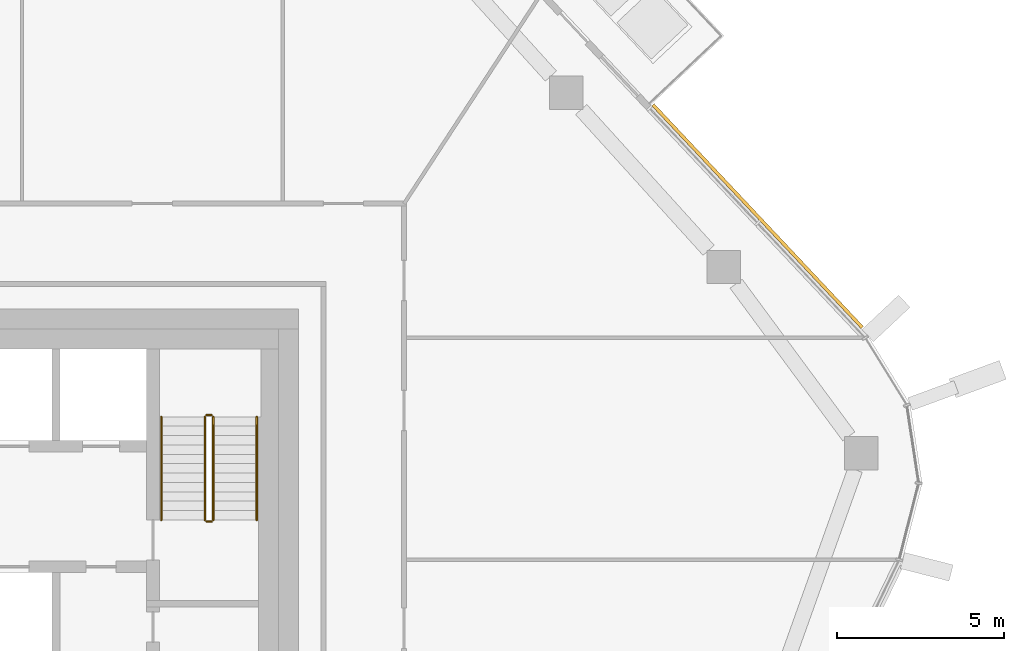
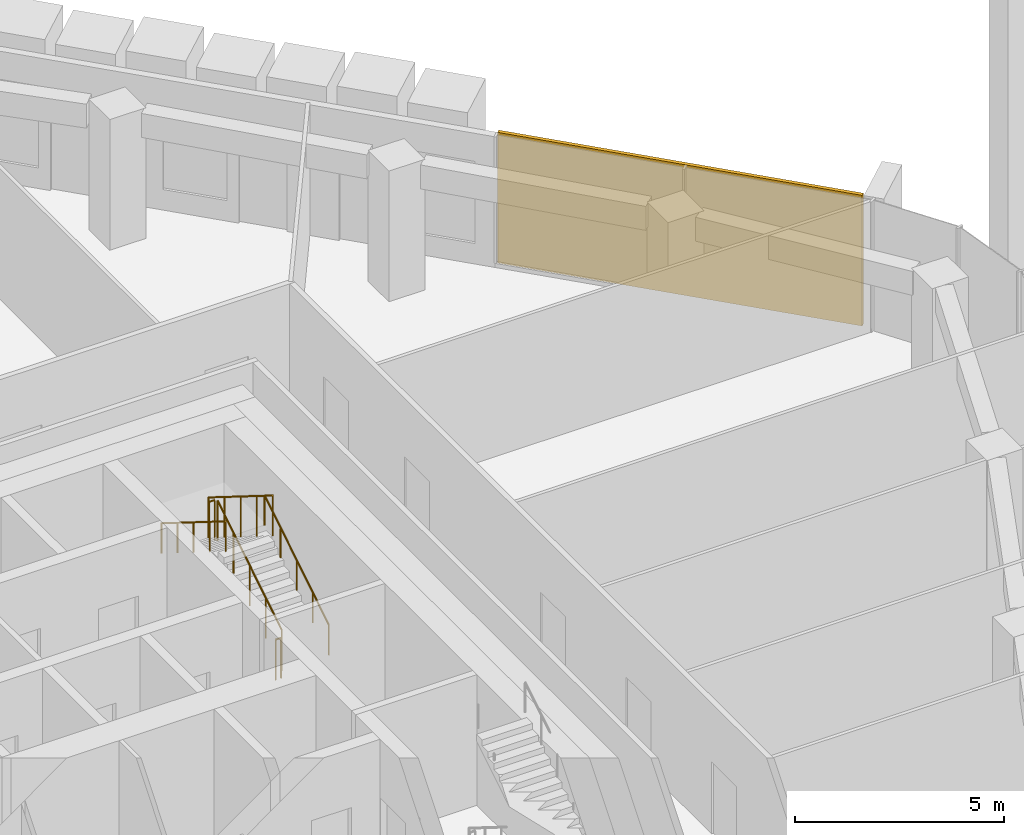
# One storey, part 23 of 24: 6 railings, 1 covering, 1 element without a shape of its own.
"""IFC4 building model written with IfcOpenShell, lengths in metres."""

from ifc_helpers import new_model, si_unit, direction, frame, origin, origin_2d, place, context, subcontext, project, spatial, rectangle, circle, extrude, material, layer, layer_set, type_object, element, aggregate, save


model = new_model("IFC4")

# Units and contexts
model_context = context("Model", 3, precision=1e-05, world=origin(), true_north=direction((0.0, 1.0)))
body_context = subcontext(model_context, "Body", "Model", "MODEL_VIEW")
ifc_project = project(units=[si_unit("LENGTHUNIT", "METRE"), si_unit("AREAUNIT", "SQUARE_METRE"), si_unit("VOLUMEUNIT", "CUBIC_METRE"), si_unit("PLANEANGLEUNIT", "RADIAN"), si_unit("MASSUNIT", "GRAM", prefix="KILO")], contexts=[model_context])

# Site, building, storey
site_placement = place(None, origin())
site = spatial("IfcSite", under=ifc_project, at=site_placement, CompositionType="ELEMENT")
building_placement = place(site_placement, origin())
building = spatial("IfcBuilding", under=site, at=building_placement, Name="Dongbaek Canopy Tower", CompositionType="ELEMENT")
storey_placement = place(building_placement, frame((0.0, 0.0, 294.199951171875)))
storey = spatial("IfcBuildingStorey", under=building, at=storey_placement, Name="L62", CompositionType="ELEMENT", Elevation=294.199951171875)

# Curtain wall, covering
ifc_material_1 = material(Name="Aluminium 6063-T6 pale anodised", Category="aluminium")
ifc_layer_1 = layer(ifc_material_1, 0.199951171875)
ifc_layer_set_1 = layer_set([ifc_layer_1], Name="CW-1 unitised tower curtain wall")
curtain_wall_type = type_object("IfcCurtainWallType", Name="CW-1 unitised tower curtain wall", PredefinedType="NOTDEFINED", material=ifc_layer_set_1)
curtain_wall_placement = place(storey_placement, origin())
curtain_wall = element("IfcCurtainWall", 1, at=curtain_wall_placement, inside=storey, type_object=curtain_wall_type, Name="CW-1 curtain wall F0.1", PredefinedType="NOTDEFINED")
ifc_material_2 = material(Name="Perforated aluminium 6063-T6 pale metal screen", Category="aluminium")
ifc_layer_2 = layer(ifc_material_2, 0.10009765625)
ifc_layer_set_2 = layer_set([ifc_layer_2], Name="Facet screen FS1 100 pale metal")
covering_type = type_object("IfcCoveringType", Name="Facet screen FS1 100 pale metal", PredefinedType="CLADDING", material=ifc_layer_set_2)
covering_placement = place(storey_placement, frame((27.71337890625, 13.775634765625, 0.0), z_axis=(0.0, 0.0, 1.0), x_axis=(-0.684830774803, 0.728702140715, 0.0)))
covering = element("IfcCovering", 2, at=covering_placement, type_object=covering_type, Name="Facet screen L62 F0", PredefinedType="CLADDING", context=body_context, shape_type="SweptSolid", body=[
    extrude(rectangle(XDim=9.125, YDim=0.10009765625, at=origin_2d()), origin(), (0.0, 0.0, 1.0), 3.820068359375),
])
aggregate(curtain_wall, [covering])

# Railings
ifc_material_3 = material(Name="Stainless steel tube and balusters", Category="steel")
railing_type_1 = type_object("IfcRailingType", Name="Stair guard 1200", PredefinedType="GUARDRAIL", material=ifc_material_3)
railing_1_placement = place(storey_placement, frame((11.449951171875, 4.699951171875, 0.175048828125)))
element("IfcRailing", 3, at=railing_1_placement, inside=storey, type_object=railing_type_1, Name="L62 ST-A stair guard 1", PredefinedType="GUARDRAIL", context=body_context, shape_type="SweptSolid", body=[
    extrude(circle(Radius=0.02392578125, at=origin_2d()), frame((0.0, 0.0, 1.17578125), z_axis=(0.0, 0.847998304005, 0.529998940003), x_axis=(-1.0, 0.0, 0.0)), (0.0, 0.0, 1.0), 3.632080078125),
    extrude(circle(Radius=0.02099609375, at=origin_2d()), origin(), (0.0, 0.0, 1.0), 1.15185546875),
    extrude(circle(Radius=0.02099609375, at=origin_2d()), frame((0.0, 0.77001953125, 0.481201171875)), (0.0, 0.0, 1.0), 1.15185546875),
    extrude(circle(Radius=0.02099609375, at=origin_2d()), frame((0.0, 1.5400390625, 0.96240234375)), (0.0, 0.0, 1.0), 1.15185546875),
    extrude(circle(Radius=0.02099609375, at=origin_2d()), frame((0.0, 2.31005859375, 1.44384765625)), (0.0, 0.0, 1.0), 1.15185546875),
    extrude(circle(Radius=0.02099609375, at=origin_2d()), frame((0.0, 3.080078125, 1.925048828125)), (0.0, 0.0, 1.0), 1.15185546875),
])
railing_2_placement = place(storey_placement, frame((11.39990234375, 7.830078125, 2.10009765625)))
element("IfcRailing", 4, at=railing_2_placement, inside=storey, type_object=railing_type_1, Name="L62 ST-A stair guard 2", PredefinedType="GUARDRAIL", context=body_context, shape_type="SweptSolid", body=[
    extrude(circle(Radius=0.02392578125, at=origin_2d()), frame((0.0, 0.0, 1.17578125), z_axis=(-1.0, 0.0, 0.0), x_axis=(0.0, -1.0, 0.0)), (0.0, 0.0, 1.0), 0.14990234375),
    extrude(circle(Radius=0.02099609375, at=origin_2d()), origin(), (0.0, 0.0, 1.0), 1.15185546875),
    extrude(circle(Radius=0.02099609375, at=origin_2d()), frame((-0.14990234375, 0.0, 0.0)), (0.0, 0.0, 1.0), 1.15185546875),
])
railing_3_placement = place(storey_placement, frame((11.199951171875, 7.780029296875, 2.275146484375)))
element("IfcRailing", 5, at=railing_3_placement, inside=storey, type_object=railing_type_1, Name="L62 ST-A stair guard 3", PredefinedType="GUARDRAIL", context=body_context, shape_type="SweptSolid", body=[
    extrude(circle(Radius=0.02392578125, at=origin_2d()), frame((0.0, 0.0, 1.17578125), z_axis=(0.0, -0.848028513186, 0.529950602248), x_axis=(1.0, 0.0, 0.0)), (0.0, 0.0, 1.0), 3.632080078125),
    extrude(circle(Radius=0.02099609375, at=origin_2d()), origin(), (0.0, 0.0, 1.0), 1.15185546875),
    extrude(circle(Radius=0.02099609375, at=origin_2d()), frame((0.0, -0.77001953125, 0.481201171875)), (0.0, 0.0, 1.0), 1.15185546875),
    extrude(circle(Radius=0.02099609375, at=origin_2d()), frame((0.0, -1.5400390625, 0.96240234375)), (0.0, 0.0, 1.0), 1.15185546875),
    extrude(circle(Radius=0.02099609375, at=origin_2d()), frame((0.0, -2.31005859375, 1.443603515625)), (0.0, 0.0, 1.0), 1.15185546875),
    extrude(circle(Radius=0.02099609375, at=origin_2d()), frame((0.0, -3.080078125, 1.9248046875)), (0.0, 0.0, 1.0), 1.15185546875),
])
railing_4_placement = place(storey_placement, frame((11.39990234375, 4.64990234375, 0.0)))
element("IfcRailing", 6, at=railing_4_placement, inside=storey, type_object=railing_type_1, Name="L62 ST-A stair guard 4", PredefinedType="GUARDRAIL", context=body_context, shape_type="SweptSolid", body=[
    extrude(circle(Radius=0.02392578125, at=origin_2d()), frame((0.0, 0.0, 1.17578125), z_axis=(-1.0, 0.0, 0.0), x_axis=(0.0, -1.0, 0.0)), (0.0, 0.0, 1.0), 0.14990234375),
    extrude(circle(Radius=0.02099609375, at=origin_2d()), origin(), (0.0, 0.0, 1.0), 1.15185546875),
    extrude(circle(Radius=0.02099609375, at=origin_2d()), frame((-0.14990234375, 0.0, 0.0)), (0.0, 0.0, 1.0), 1.15185546875),
])
ifc_material_4 = material(Name="Stainless steel tube", Category="steel")
railing_type_2 = type_object("IfcRailingType", Name="Stair handrail 900", PredefinedType="HANDRAIL", material=ifc_material_4)
railing_5_placement = place(storey_placement, frame((12.75, 4.699951171875, 0.175048828125)))
element("IfcRailing", 7, at=railing_5_placement, inside=storey, type_object=railing_type_2, Name="L62 ST-A stair handrail 1", PredefinedType="HANDRAIL", context=body_context, shape_type="SweptSolid", body=[
    extrude(circle(Radius=0.02392578125, at=origin_2d()), frame((0.0, 0.0, 0.8759765625), z_axis=(0.0, 0.847998304005, 0.529998940003), x_axis=(-1.0, 0.0, 0.0)), (0.0, 0.0, 1.0), 3.632080078125),
    extrude(circle(Radius=0.02099609375, at=origin_2d()), origin(), (0.0, 0.0, 1.0), 0.851806640625),
    extrude(circle(Radius=0.02099609375, at=origin_2d()), frame((0.0, 0.77001953125, 0.481201171875)), (0.0, 0.0, 1.0), 0.851806640625),
    extrude(circle(Radius=0.02099609375, at=origin_2d()), frame((0.0, 1.5400390625, 0.96240234375)), (0.0, 0.0, 1.0), 0.851806640625),
    extrude(circle(Radius=0.02099609375, at=origin_2d()), frame((0.0, 2.31005859375, 1.44384765625)), (0.0, 0.0, 1.0), 0.851806640625),
    extrude(circle(Radius=0.02099609375, at=origin_2d()), frame((0.0, 3.080078125, 1.925048828125)), (0.0, 0.0, 1.0), 0.851806640625),
])
railing_6_placement = place(storey_placement, frame((9.89990234375, 7.780029296875, 2.275146484375)))
element("IfcRailing", 8, at=railing_6_placement, inside=storey, type_object=railing_type_2, Name="L62 ST-A stair handrail 2", PredefinedType="HANDRAIL", context=body_context, shape_type="SweptSolid", body=[
    extrude(circle(Radius=0.02392578125, at=origin_2d()), frame((0.0, 0.0, 0.8759765625), z_axis=(0.0, -0.848028513186, 0.529950602248), x_axis=(1.0, 0.0, 0.0)), (0.0, 0.0, 1.0), 3.632080078125),
    extrude(circle(Radius=0.02099609375, at=origin_2d()), origin(), (0.0, 0.0, 1.0), 0.851806640625),
    extrude(circle(Radius=0.02099609375, at=origin_2d()), frame((0.0, -0.77001953125, 0.481201171875)), (0.0, 0.0, 1.0), 0.851806640625),
    extrude(circle(Radius=0.02099609375, at=origin_2d()), frame((0.0, -1.5400390625, 0.96240234375)), (0.0, 0.0, 1.0), 0.851806640625),
    extrude(circle(Radius=0.02099609375, at=origin_2d()), frame((0.0, -2.31005859375, 1.443603515625)), (0.0, 0.0, 1.0), 0.851806640625),
    extrude(circle(Radius=0.02099609375, at=origin_2d()), frame((0.0, -3.080078125, 1.9248046875)), (0.0, 0.0, 1.0), 0.851806640625),
])

save(model, "model.ifc")
